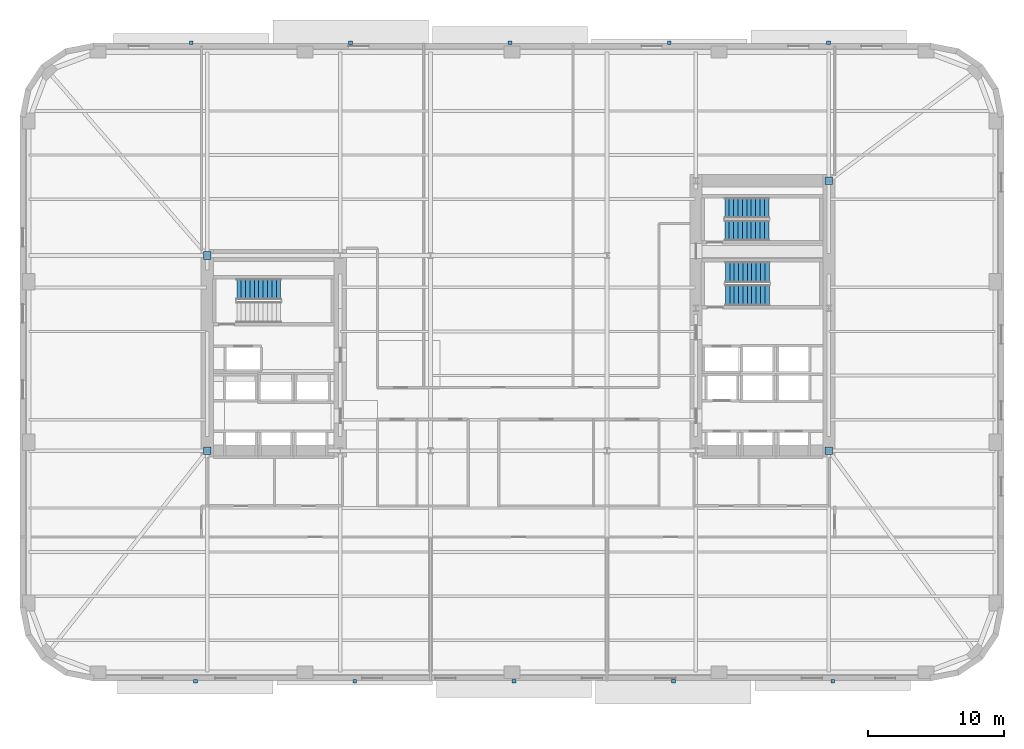
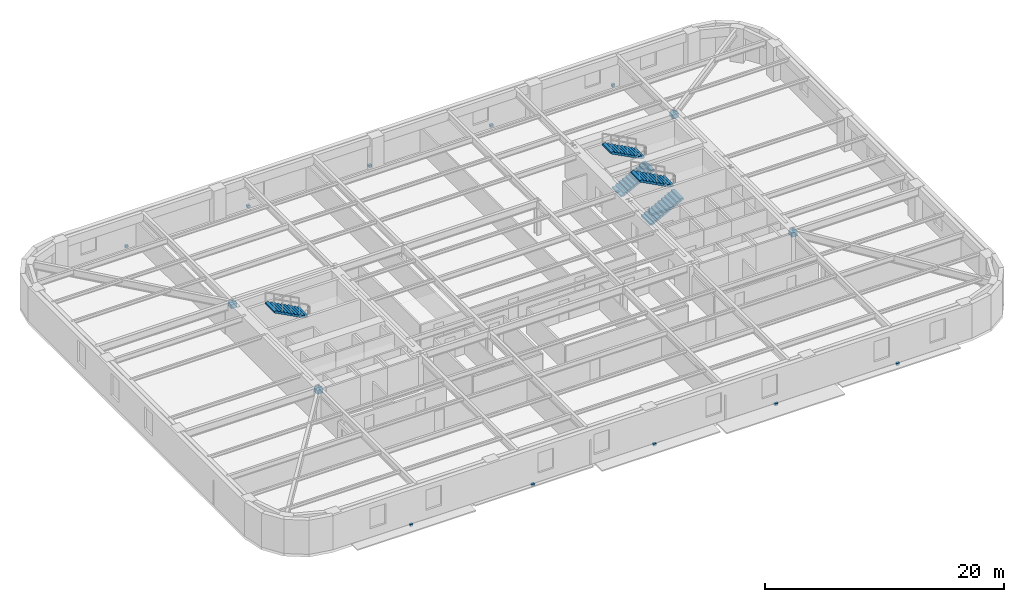
# One storey, part 8 of 14: 14 discrete accessories, 5 stair flights, 3 elements without a shape of their own.
"""IFC4 building model written with IfcOpenShell, lengths in metres."""

from ifc_helpers import new_model, si_unit, direction, frame, origin, origin_2d, place, context, subcontext, project, spatial, polyline, rectangle, outline, extrude, material, type_object, element, aggregate, save


model = new_model("IFC4")

# Units and contexts
model_context = context("Model", 3, precision=1e-05, world=origin(), true_north=direction((0.0, 1.0)))
body_context = subcontext(model_context, "Body", "Model", "MODEL_VIEW")
ifc_project = project(units=[si_unit("LENGTHUNIT", "METRE"), si_unit("AREAUNIT", "SQUARE_METRE"), si_unit("VOLUMEUNIT", "CUBIC_METRE"), si_unit("PLANEANGLEUNIT", "RADIAN"), si_unit("MASSUNIT", "GRAM", prefix="KILO")], contexts=[model_context])

# Site, building, storey
site_placement = place(None, origin())
site = spatial("IfcSite", under=ifc_project, at=site_placement, CompositionType="ELEMENT")
building_placement = place(site_placement, origin())
building = spatial("IfcBuilding", under=site, at=building_placement, Name="Kolvaren Arena Tower", CompositionType="ELEMENT")
storey_placement = place(building_placement, frame((0.0, 0.0, 79.5)))
storey = spatial("IfcBuildingStorey", under=building, at=storey_placement, Name="L17", CompositionType="ELEMENT", Elevation=79.5)

# Stair, stair flights
ifc_material_1 = material(Name="Concrete 45 MPa", Category="concrete")
stair_type_1 = type_object("IfcStairType", Name="STAIR-CORE-150", PredefinedType="HALF_TURN_STAIR", material=ifc_material_1)
stair_1_placement = place(storey_placement, origin())
stair_1 = element("IfcStair", 1, at=stair_1_placement, inside=storey, type_object=stair_type_1, Name="L17 ST-E2", PredefinedType="HALF_TURN_STAIR")
stair_flight_type_1 = type_object("IfcStairFlightType", Name="FLT-150", PredefinedType="STRAIGHT", material=ifc_material_1)
stair_flight_1_placement = place(storey_placement, frame((52.679931640625, 35.699951171875, 0.0), z_axis=(0.0, 0.0, 1.0), x_axis=(1.0, 0.0, 0.0)))
stair_flight_1 = element("IfcStairFlight", 2, at=stair_flight_1_placement, type_object=stair_flight_type_1, Name="ST-E2 flight 1", NumberOfRisers=11, NumberOfTreads=10, PredefinedType="STRAIGHT", RiserHeight=0.170454545, TreadLength=0.324, context=body_context, shape_type="SweptSolid", body=[
    extrude(outline(polyline([(0.0, 0.0), (0.0, 0.17041015625), (0.323974609375, 0.17041015625), (0.323974609375, 0.3408203125), (0.64794921875, 0.3408203125), (0.64794921875, 0.511474609375), (0.971923828125, 0.511474609375), (0.971923828125, 0.681884765625), (1.2958984375, 0.681884765625), (1.2958984375, 0.852294921875), (1.6201171875, 0.852294921875), (1.6201171875, 1.022705078125), (1.944091796875, 1.022705078125), (1.944091796875, 1.193115234375), (2.26806640625, 1.193115234375), (2.26806640625, 1.363525390625), (2.592041015625, 1.363525390625), (2.592041015625, 1.5341796875), (2.916015625, 1.5341796875), (2.916015625, 1.70458984375), (3.239990234375, 1.70458984375), (3.239990234375, 1.875), (3.239990234375, 1.53515625), (0.322021484375, 0.0), (0.0, 0.0)])), frame((0.0, 0.75, 0.0), z_axis=(0.0, -1.0, 0.0), x_axis=(1.0, 0.0, 0.0)), (0.0, 0.0, 1.0), 1.5),
])
stair_flight_2_placement = place(storey_placement, frame((55.919921875, 37.35009765625, 1.875), z_axis=(0.0, 0.0, 1.0), x_axis=(-1.0, 0.0, 0.0)))
stair_flight_2 = element("IfcStairFlight", 3, at=stair_flight_2_placement, type_object=stair_flight_type_1, Name="ST-E2 flight 2", NumberOfRisers=11, NumberOfTreads=10, PredefinedType="STRAIGHT", RiserHeight=0.170454545, TreadLength=0.324, context=body_context, shape_type="SweptSolid", body=[
    extrude(outline(polyline([(0.0, 0.0), (0.0, 0.17041015625), (0.323974609375, 0.17041015625), (0.323974609375, 0.3408203125), (0.64794921875, 0.3408203125), (0.64794921875, 0.511474609375), (0.971923828125, 0.511474609375), (0.971923828125, 0.681884765625), (1.2958984375, 0.681884765625), (1.2958984375, 0.852294921875), (1.6201171875, 0.852294921875), (1.6201171875, 1.022705078125), (1.944091796875, 1.022705078125), (1.944091796875, 1.193115234375), (2.26806640625, 1.193115234375), (2.26806640625, 1.363525390625), (2.592041015625, 1.363525390625), (2.592041015625, 1.5341796875), (2.916015625, 1.5341796875), (2.916015625, 1.70458984375), (3.239990234375, 1.70458984375), (3.239990234375, 1.875), (3.239990234375, 1.53515625), (0.322021484375, 0.0), (0.0, 0.0)])), frame((0.0, 0.75, 0.0), z_axis=(0.0, -1.0, 0.0), x_axis=(1.0, 0.0, 0.0)), (0.0, 0.0, 1.0), 1.5),
])
aggregate(stair_1, [stair_flight_1, stair_flight_2])

# Stair, stair flight
stair_type_2 = type_object("IfcStairType", Name="STAIR-CORE-165", PredefinedType="HALF_TURN_STAIR", material=ifc_material_1)
stair_2_placement = place(storey_placement, origin())
stair_2 = element("IfcStair", 4, at=stair_2_placement, inside=storey, type_object=stair_type_2, Name="L17 ST-W1", PredefinedType="HALF_TURN_STAIR")
stair_flight_type_2 = type_object("IfcStairFlightType", Name="FLT-165", PredefinedType="STRAIGHT", material=ifc_material_1)
stair_flight_3_placement = place(storey_placement, frame((19.9599609375, 31.360107421875, 1.875), z_axis=(0.0, 0.0, 1.0), x_axis=(-1.0, 0.0, 0.0)))
stair_flight_3 = element("IfcStairFlight", 5, at=stair_flight_3_placement, type_object=stair_flight_type_2, Name="ST-W1 flight 2", NumberOfRisers=11, NumberOfTreads=10, PredefinedType="STRAIGHT", RiserHeight=0.170454545, TreadLength=0.324, context=body_context, shape_type="SweptSolid", body=[
    extrude(outline(polyline([(0.0, 0.0), (0.0, 0.17041015625), (0.323974609375, 0.17041015625), (0.323974609375, 0.3408203125), (0.64794921875, 0.3408203125), (0.64794921875, 0.511474609375), (0.971923828125, 0.511474609375), (0.971923828125, 0.681884765625), (1.2958984375, 0.681884765625), (1.2958984375, 0.852294921875), (1.6201171875, 0.852294921875), (1.6201171875, 1.022705078125), (1.944091796875, 1.022705078125), (1.944091796875, 1.193115234375), (2.26806640625, 1.193115234375), (2.26806640625, 1.363525390625), (2.592041015625, 1.363525390625), (2.592041015625, 1.5341796875), (2.916015625, 1.5341796875), (2.916015625, 1.70458984375), (3.239990234375, 1.70458984375), (3.239990234375, 1.875), (3.239990234375, 1.53515625), (0.322021484375, 0.0), (0.0, 0.0)])), frame((0.0, 0.77001953125, 0.0), z_axis=(0.0, -1.0, 0.0), x_axis=(1.0, 0.0, 0.0)), (0.0, 0.0, 1.0), 1.5400390625),
])
aggregate(stair_2, [stair_flight_3])

# Stair, stair flights
stair_3_placement = place(storey_placement, origin())
stair_3 = element("IfcStair", 6, at=stair_3_placement, inside=storey, type_object=stair_type_2, Name="L17 ST-E1", PredefinedType="HALF_TURN_STAIR")
stair_flight_4_placement = place(storey_placement, frame((52.719970703125, 30.919921875, 0.0), z_axis=(0.0, 0.0, 1.0), x_axis=(1.0, 0.0, 0.0)))
stair_flight_4 = element("IfcStairFlight", 7, at=stair_flight_4_placement, type_object=stair_flight_type_2, Name="ST-E1 flight 1", NumberOfRisers=11, NumberOfTreads=10, PredefinedType="STRAIGHT", RiserHeight=0.170454545, TreadLength=0.324, context=body_context, shape_type="SweptSolid", body=[
    extrude(outline(polyline([(0.0, 0.0), (0.0, 0.17041015625), (0.323974609375, 0.17041015625), (0.323974609375, 0.3408203125), (0.64794921875, 0.3408203125), (0.64794921875, 0.511474609375), (0.971923828125, 0.511474609375), (0.971923828125, 0.681884765625), (1.2958984375, 0.681884765625), (1.2958984375, 0.852294921875), (1.6201171875, 0.852294921875), (1.6201171875, 1.022705078125), (1.944091796875, 1.022705078125), (1.944091796875, 1.193115234375), (2.26806640625, 1.193115234375), (2.26806640625, 1.363525390625), (2.592041015625, 1.363525390625), (2.592041015625, 1.5341796875), (2.916015625, 1.5341796875), (2.916015625, 1.70458984375), (3.239990234375, 1.70458984375), (3.239990234375, 1.875), (3.239990234375, 1.53515625), (0.322021484375, 0.0), (0.0, 0.0)])), frame((0.0, 0.77001953125, 0.0), z_axis=(0.0, -1.0, 0.0), x_axis=(1.0, 0.0, 0.0)), (0.0, 0.0, 1.0), 1.5400390625),
])
stair_flight_5_placement = place(storey_placement, frame((55.9599609375, 32.610107421875, 1.875), z_axis=(0.0, 0.0, 1.0), x_axis=(-1.0, 0.0, 0.0)))
stair_flight_5 = element("IfcStairFlight", 8, at=stair_flight_5_placement, type_object=stair_flight_type_2, Name="ST-E1 flight 2", NumberOfRisers=11, NumberOfTreads=10, PredefinedType="STRAIGHT", RiserHeight=0.170454545, TreadLength=0.324, context=body_context, shape_type="SweptSolid", body=[
    extrude(outline(polyline([(0.0, 0.0), (0.0, 0.17041015625), (0.323974609375, 0.17041015625), (0.323974609375, 0.3408203125), (0.64794921875, 0.3408203125), (0.64794921875, 0.511474609375), (0.971923828125, 0.511474609375), (0.971923828125, 0.681884765625), (1.2958984375, 0.681884765625), (1.2958984375, 0.852294921875), (1.6201171875, 0.852294921875), (1.6201171875, 1.022705078125), (1.944091796875, 1.022705078125), (1.944091796875, 1.193115234375), (2.26806640625, 1.193115234375), (2.26806640625, 1.363525390625), (2.592041015625, 1.363525390625), (2.592041015625, 1.5341796875), (2.916015625, 1.5341796875), (2.916015625, 1.70458984375), (3.239990234375, 1.70458984375), (3.239990234375, 1.875), (3.239990234375, 1.53515625), (0.322021484375, 0.0), (0.0, 0.0)])), frame((0.0, 0.77001953125, 0.0), z_axis=(0.0, -1.0, 0.0), x_axis=(1.0, 0.0, 0.0)), (0.0, 0.0, 1.0), 1.5400390625),
])
aggregate(stair_3, [stair_flight_4, stair_flight_5])

# Discrete accessories
ifc_material_2 = material(Name="Stainless steel facade support bracket", Category="steel")
discrete_accessory_type_1 = type_object("IfcDiscreteAccessoryType", Name="ACC-BRKT-1", PredefinedType="BRACKET", material=ifc_material_2)
for number, where, z_axis, x_axis, name in (
    (9, (13.3701171875, 49.52001953125, -0.18017578125), (0.0, 0.0, 1.0), (1.0, 0.0, 0.0), "Sunshade Support Bracket (L17)"),
    (10, (25.110107421875, 49.52001953125, -0.18017578125), (0.0, 0.0, 1.0), (1.0, 0.0, 0.0), "Sunshade Support Bracket (L17)"),
    (11, (36.85009765625, 49.52001953125, -0.18017578125), (0.0, 0.0, 1.0), (1.0, 0.0, 0.0), "Sunshade Support Bracket (L17)"),
    (12, (48.590087890625, 49.52001953125, -0.18017578125), (0.0, 0.0, 1.0), (1.0, 0.0, 0.0), "Sunshade Support Bracket (L17)"),
    (13, (60.330078125, 49.52001953125, -0.18017578125), (0.0, 0.0, 1.0), (1.0, 0.0, 0.0), "Sunshade Support Bracket (L17)"),
    (14, (60.6298828125, 2.47998046875, -0.18017578125), (0.0, 0.0, 1.0), (-1.0, 0.0, 0.0), "Sunshade Support Bracket (L17)"),
    (15, (48.889892578125, 2.47998046875, -0.18017578125), (0.0, 0.0, 1.0), (-1.0, 0.0, 0.0), "Sunshade Support Bracket (L17)"),
    (16, (37.14990234375, 2.47998046875, -0.18017578125), (0.0, 0.0, 1.0), (-1.0, 0.0, 0.0), "Sunshade Support Bracket (L17)"),
    (17, (25.409912109375, 2.47998046875, -0.18017578125), (0.0, 0.0, 1.0), (-1.0, 0.0, 0.0), "Sunshade Support Bracket (L17)"),
    (18, (13.669921875, 2.47998046875, -0.18017578125), (0.0, 0.0, 1.0), (-1.0, 0.0, 0.0), "Sunshade Support Bracket (L17)"),
):
    element("IfcDiscreteAccessory", number, at=place(storey_placement, frame(where, z_axis=z_axis, x_axis=x_axis)), inside=storey, type_object=discrete_accessory_type_1, Name=name, PredefinedType="BRACKET", context=body_context, shape_type="SweptSolid", body=[
        extrude(rectangle(XDim=0.280029296875, YDim=0.239990234375, at=origin_2d()), origin(), (0.0, 0.0, 1.0), 0.239990234375),
    ])
ifc_material_3 = material(Name="Steel CSA G40.21 350W bolted gusset connection", Category="steel")
discrete_accessory_type_2 = type_object("IfcDiscreteAccessoryType", Name="ACC-CONN-1", PredefinedType="BRACKET", material=ifc_material_3)
for number, where, z_axis, x_axis, name in (
    (19, (60.35009765625, 19.449951171875, 2.87353515625), (0.0, 0.0, 1.0), (1.0, 0.0, 0.0), "Core Wall Cast-In Embed Plate EP1 (L17)"),
    (20, (60.35009765625, 39.35009765625, 2.87353515625), (0.0, 0.0, 1.0), (1.0, 0.0, 0.0), "Core Wall Cast-In Embed Plate EP1 (L17)"),
    (21, (14.550048828125, 33.85009765625, 2.87353515625), (0.0, 0.0, 1.0), (1.0, 0.0, 0.0), "Core Wall Cast-In Embed Plate EP1 (L17)"),
    (22, (14.550048828125, 19.449951171875, 2.87353515625), (0.0, 0.0, 1.0), (1.0, 0.0, 0.0), "Core Wall Cast-In Embed Plate EP1 (L17)"),
):
    element("IfcDiscreteAccessory", number, at=place(storey_placement, frame(where, z_axis=z_axis, x_axis=x_axis)), inside=storey, type_object=discrete_accessory_type_2, Name=name, PredefinedType="BRACKET", context=body_context, shape_type="SweptSolid", body=[
        extrude(rectangle(XDim=0.56005859375, YDim=0.56005859375, at=origin_2d()), origin(), (0.0, 0.0, 1.0), 0.43994140625),
    ])

save(model, "model.ifc")
